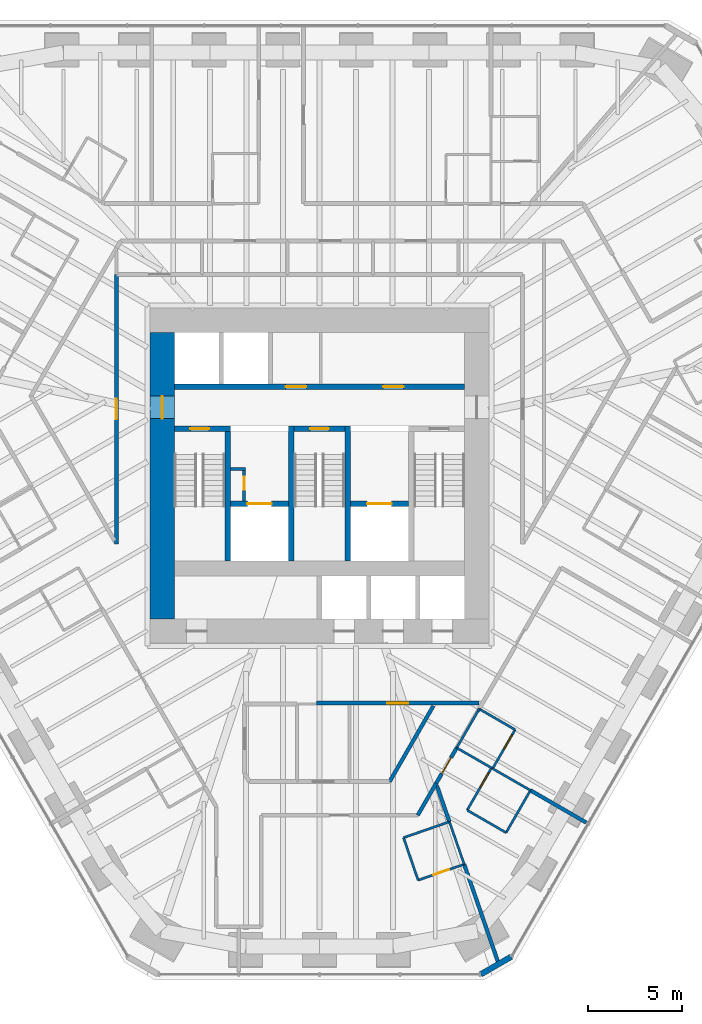
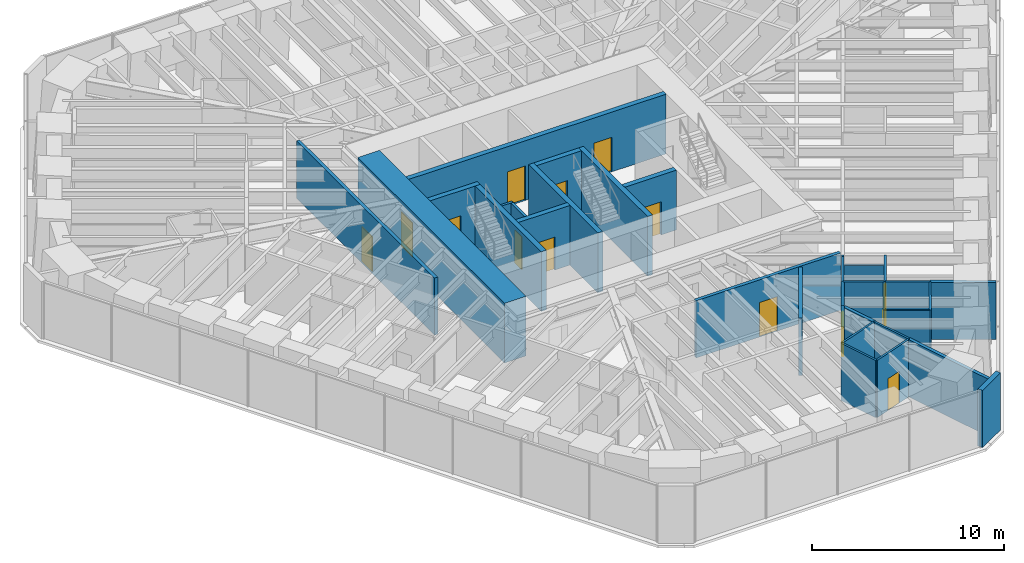
# One storey, part 12 of 17: 33 walls, 14 doors, 14 openings.
"""IFC4 building model written with IfcOpenShell, lengths in metres."""

import ifcopenshell
import ifcopenshell.guid

model = None  # the IFC model being written
_history = None  # IfcOwnerHistory: only IFC2X3 demands one
_inside = {}  # id of a spatial element -> (the spatial element, [elements in it])
_under = {}  # id of a project, library or spatial element -> (it, [spatial elements below it])
_declared = {}  # id of a project -> (the project, [libraries it declares])
_typed = {}  # id of a type object -> (the type object, [elements of that type])
_made_of = {}  # id of a material, layer set ... -> (it, [elements and type objects made of it])


def new_model(schema):
    """Start an empty IFC model of exactly this schema.

    Asked for "IFC4X3", IfcOpenShell would pick the latest addendum, in which some entities
    have other attributes; the version numbers below select the first issue.
    IFC2X3 requires an IfcOwnerHistory on every rooted entity: one is made here for all.
    """
    global model, _history
    if schema == "IFC4X3":
        model = ifcopenshell.file(schema_version=(4, 3, 0, 0))
    else:
        model = ifcopenshell.file(schema=schema)
    _inside.clear()
    _under.clear()
    _declared.clear()
    _typed.clear()
    _made_of.clear()
    _history = None
    if model.schema == "IFC2X3":
        org = make("IfcOrganization", Name="unknown")
        user = make(
            "IfcPersonAndOrganization",
            ThePerson=make("IfcPerson", FamilyName="unknown"),
            TheOrganization=org,
        )
        app = make(
            "IfcApplication",
            ApplicationDeveloper=org,
            Version="unknown",
            ApplicationFullName="unknown",
            ApplicationIdentifier="unknown",
        )
        _history = make(
            "IfcOwnerHistory",
            OwningUser=user,
            OwningApplication=app,
            ChangeAction="ADDED",
            CreationDate=0,
        )
    return model


def make(cls, **values):
    """One entity of the class cls with the attributes given. An attribute that is None is left unset."""
    return model.create_entity(
        cls, **{name: value for name, value in values.items() if value is not None}
    )


def rooted(cls, **values):
    """An entity with a GlobalId (a new one), such as an element, a storey or a relation."""
    return make(cls, GlobalId=ifcopenshell.guid.new(), OwnerHistory=_history, **values)


def si_unit(unit_type, name, prefix=None):
    """IfcSIUnit, for example si_unit("LENGTHUNIT", "METRE", prefix="MILLI")."""
    return make("IfcSIUnit", UnitType=unit_type, Prefix=prefix, Name=name)


def assignment(units):
    """IfcUnitAssignment: the units of a project."""
    return None if units is None else make("IfcUnitAssignment", Units=units)


def point(xyz):
    """IfcCartesianPoint."""
    return None if xyz is None else make("IfcCartesianPoint", Coordinates=xyz)


def direction(xyz):
    """IfcDirection."""
    return None if xyz is None else make("IfcDirection", DirectionRatios=xyz)


def frame(location, z_axis=None, x_axis=None):
    """IfcAxis2Placement3D, a coordinate frame: its origin and axes. An axis left out is left unset."""
    return make(
        "IfcAxis2Placement3D",
        Location=point(location),
        Axis=direction(z_axis),
        RefDirection=direction(x_axis),
    )


def frame_2d(location, x_axis=None):
    """IfcAxis2Placement2D, a coordinate frame in the plane: its origin and x axis."""
    return make(
        "IfcAxis2Placement2D", Location=point(location), RefDirection=direction(x_axis)
    )


def origin():
    """The frame at (0, 0, 0) with its axes left unset."""
    return frame((0.0, 0.0, 0.0))


def place(relative_to, where):
    """IfcLocalPlacement: puts the frame where relative to a parent placement (None: the world)."""
    return make(
        "IfcLocalPlacement", PlacementRelTo=relative_to, RelativePlacement=where
    )


def context(
    kind, dimensions, precision=None, world=None, true_north=None, identifier=None
):
    """IfcGeometricRepresentationContext, for example the 3D "Model" context."""
    return make(
        "IfcGeometricRepresentationContext",
        ContextIdentifier=identifier,
        ContextType=kind,
        CoordinateSpaceDimension=dimensions,
        Precision=precision,
        WorldCoordinateSystem=world,
        TrueNorth=true_north,
    )


def subcontext(parent, identifier, kind, view, scale=None):
    """IfcGeometricRepresentationSubContext, for example "Body" below "Model"."""
    return make(
        "IfcGeometricRepresentationSubContext",
        ContextIdentifier=identifier,
        ContextType=kind,
        ParentContext=parent,
        TargetScale=scale,
        TargetView=view,
    )


def project(units=None, contexts=None):
    """IfcProject with its units and contexts."""
    return rooted(
        "IfcProject",
        Name="project",
        RepresentationContexts=contexts,
        UnitsInContext=assignment(units),
    )


def spatial(cls, under=None, at=None, **own):
    """A site, building, storey or space (cls), placed at a placement, below another one or the project."""
    s = rooted(cls, ObjectPlacement=at, **own)
    if under is not None:
        _under.setdefault(under.id(), (under, []))[1].append(s)
    return s


def profile(cls, at=None, kind="AREA", **sizes):
    """A parametric profile (cls). Its sizes go by their IFC names, for example OverallWidth=200.0."""
    return make(cls, ProfileType=kind, Position=at, **sizes)


def rectangle(**sizes):
    """IfcRectangleProfileDef."""
    return profile("IfcRectangleProfileDef", **sizes)


def extrude(swept, where, along, depth):
    """IfcExtrudedAreaSolid: the profile swept, set in the frame where, extruded along a direction by depth."""
    return make(
        "IfcExtrudedAreaSolid",
        SweptArea=swept,
        Position=where,
        ExtrudedDirection=direction(along),
        Depth=depth,
    )


def shape(context_of_items, identifier, shape_type, items):
    """IfcShapeRepresentation: the items that make up one representation, for example the "Body"."""
    return make(
        "IfcShapeRepresentation",
        ContextOfItems=context_of_items,
        RepresentationIdentifier=identifier,
        RepresentationType=shape_type,
        Items=items,
    )


def material(Name=None, Category=None):
    """IfcMaterial."""
    return make("IfcMaterial", Name=Name, Category=Category)


def layer(
    of_material, thickness, ventilated=None, Name=None, Category=None, Priority=None
):
    """IfcMaterialLayer: one layer of a wall or slab, of a material (None: an air gap)."""
    return make(
        "IfcMaterialLayer",
        Material=of_material,
        LayerThickness=thickness,
        IsVentilated=ventilated,
        Name=Name,
        Category=Category,
        Priority=Priority,
    )


def layer_set(layers, Name=None):
    """IfcMaterialLayerSet."""
    return make("IfcMaterialLayerSet", MaterialLayers=layers, LayerSetName=Name)


def made_of(thing, what):
    """Note that an element or type object is made of a material, layer set ...; save() writes the relation."""
    if what is not None:
        _made_of.setdefault(what.id(), (what, []))[1].append(thing)
    return thing


def type_object(cls, material=None, **own):
    """A type object (cls), such as IfcWallType, which elements share."""
    return made_of(rooted(cls, **own), material)


def element(
    cls,
    number,
    at=None,
    inside=None,
    cuts=None,
    type_object=None,
    material=None,
    context=None,
    identifier="Body",
    shape_type=None,
    held_by="IfcProductDefinitionShape",
    body=None,
    shapes=None,
    **own,
):
    """One element of the class cls, such as IfcWall. Its Tag is "e" and its number.

    at: its placement. inside: the storey or other place that contains it. cuts: it is an
    opening in that element (IfcRelVoidsElement). A single representation is given by context,
    identifier, shape_type and body (its items); several are given by shapes. held_by: the class
    of the entity that holds the representations. save() writes the other relations.
    """
    e = rooted(cls, Tag="e%d" % number, ObjectPlacement=at, **own)
    if body is not None:
        shapes = [shape(context, identifier, shape_type, body)]
    if shapes is not None:
        e.Representation = make(held_by, Representations=shapes)
    if inside is not None:
        _inside.setdefault(inside.id(), (inside, []))[1].append(e)
    if cuts is not None:
        rooted(
            "IfcRelVoidsElement", RelatingBuildingElement=cuts, RelatedOpeningElement=e
        )
    if type_object is not None:
        _typed.setdefault(type_object.id(), (type_object, []))[1].append(e)
    return made_of(e, material)


def fill(opening, filler):
    """IfcRelFillsElement: the door or window that sits in an opening."""
    return rooted(
        "IfcRelFillsElement",
        RelatingOpeningElement=opening,
        RelatedBuildingElement=filler,
    )


def aggregate(whole, parts):
    """IfcRelAggregates: a whole, such as a stair, and the parts it consists of."""
    return rooted("IfcRelAggregates", RelatingObject=whole, RelatedObjects=parts)


def save(model, path):
    """Write the relations noted so far, then the file.

    IfcRelAggregates (storeys below a building ...), IfcRelContainedInSpatialStructure (elements
    in a storey), IfcRelDefinesByType, IfcRelAssociatesMaterial and IfcRelDeclares: one each for
    every whole, place, type object, material and project.
    """
    for whole, parts in _under.values():
        aggregate(whole, parts)
    for where, things in _inside.values():
        rooted(
            "IfcRelContainedInSpatialStructure",
            RelatedElements=things,
            RelatingStructure=where,
        )
    for kind, things in _typed.values():
        rooted("IfcRelDefinesByType", RelatedObjects=things, RelatingType=kind)
    for what, things in _made_of.values():
        rooted("IfcRelAssociatesMaterial", RelatedObjects=things, RelatingMaterial=what)
    for by, libraries in _declared.values():
        rooted("IfcRelDeclares", RelatingContext=by, RelatedDefinitions=libraries)
    model.write(path)


model = new_model("IFC4")

# Units and contexts
model_context = context("Model", 3, precision=1e-05, world=origin(), true_north=direction((0.0, 1.0)))
body_context = subcontext(model_context, "Body", "Model", "MODEL_VIEW")
ifc_project = project(units=[si_unit("LENGTHUNIT", "METRE"), si_unit("AREAUNIT", "SQUARE_METRE"), si_unit("VOLUMEUNIT", "CUBIC_METRE"), si_unit("PLANEANGLEUNIT", "RADIAN"), si_unit("MASSUNIT", "GRAM", prefix="KILO")], contexts=[model_context])

# Site, building, storey
site_placement = place(None, origin())
site = spatial("IfcSite", under=ifc_project, at=site_placement, CompositionType="ELEMENT")
building_placement = place(site_placement, origin())
building = spatial("IfcBuilding", under=site, at=building_placement, Name="Sandreach Pilgrim Tower", CompositionType="ELEMENT")
storey_placement = place(building_placement, frame((0.0, 0.0, 150.0)))
storey = spatial("IfcBuildingStorey", under=building, at=storey_placement, Name="L37", CompositionType="ELEMENT", Elevation=150.0)

# Wall
ifc_material_1 = material(Name="Moisture-resistant gypsum board on steel studs", Category="steel")
ifc_layer_1 = layer(ifc_material_1, 0.1201171875)
ifc_layer_set_1 = layer_set([ifc_layer_1], Name="Bathroom partition 120")
wall_type_1 = type_object("IfcWallType", Name="Bathroom partition 120", PredefinedType="PARTITIONING", material=ifc_layer_set_1)
wall_1_placement = place(storey_placement, frame((4.489990234375, -20.889892578125, 0.0), z_axis=(0.0, 0.0, 1.0), x_axis=(0.324971746724, -0.945723724896, 0.0)))
element("IfcWall", 1, at=wall_1_placement, inside=storey, type_object=wall_type_1, Name="Bathroom partition L37-082", PredefinedType="PARTITIONING", context=body_context, shape_type="SweptSolid", body=[
    extrude(rectangle(XDim=2.400390625, YDim=0.1201171875, at=frame_2d((1.2001953125, 0.0))), origin(), (0.0, 0.0, 1.0), 3.639892578125),
])

# Wall, opening, door
wall_2_placement = place(storey_placement, frame((5.27001953125, -23.159912109375, 0.0), z_axis=(0.0, 0.0, 1.0), x_axis=(0.945184415197, 0.326537013627, 0.0)))
wall_2 = element("IfcWall", 2, at=wall_2_placement, inside=storey, type_object=wall_type_1, Name="Bathroom partition L37-084", PredefinedType="PARTITIONING", context=body_context, shape_type="SweptSolid", body=[
    extrude(rectangle(XDim=2.6025390625, YDim=0.1201171875, at=frame_2d((1.30126953125, 0.0))), origin(), (0.0, 0.0, 1.0), 3.639892578125),
])
opening_1_placement = place(wall_2_placement, frame((0.85009765625, 0.0, 0.0)))
opening_1 = element("IfcOpeningElement", 3, at=opening_1_placement, cuts=wall_2, Name="Opening D09-10B", PredefinedType="OPENING", context=body_context, shape_type="SweptSolid", body=[
    extrude(rectangle(XDim=0.89990234375, YDim=2.030029296875, at=frame_2d((0.449951171875, 1.01513671875))), frame((0.0, 0.06005859375, 0.0), z_axis=(0.0, -1.0, 0.0), x_axis=(1.0, 0.0, 0.0)), (0.0, 0.0, 1.0), 0.1201171875),
])
ifc_material_2 = material(Name="Timber door, steel frame", Category="steel")
door_type_1 = type_object("IfcDoorType", Name="Bathroom door", OperationType="SINGLE_SWING_LEFT", PredefinedType="DOOR", material=ifc_material_2)
door_1_placement = place(opening_1_placement, origin())
door_1 = element("IfcDoor", 4, at=door_1_placement, inside=storey, type_object=door_type_1, Name="Door 3710B", OperationType="SINGLE_SWING_LEFT", OverallHeight=2.030029296875, OverallWidth=0.89990234375, PredefinedType="DOOR", context=body_context, shape_type="SweptSolid", body=[
    extrude(rectangle(XDim=0.89990234375, YDim=2.030029296875, at=frame_2d((0.449951171875, 1.01513671875))), frame((0.0, 0.02490234375, 0.0), z_axis=(0.0, -1.0, 0.0), x_axis=(1.0, 0.0, 0.0)), (0.0, 0.0, 1.0), 0.050048828125),
])
fill(opening_1, door_1)

# Walls
wall_3_placement = place(storey_placement, frame((6.93994140625, -20.0400390625, 0.0), z_axis=(0.0, 0.0, 1.0), x_axis=(-0.944772080486, -0.327728112822, 0.0)))
element("IfcWall", 5, at=wall_3_placement, inside=storey, type_object=wall_type_1, Name="Bathroom partition L37-090", PredefinedType="PARTITIONING", context=body_context, shape_type="SweptSolid", body=[
    extrude(rectangle(XDim=2.59326171875, YDim=0.1201171875, at=frame_2d((1.296630859375, 0.0))), origin(), (0.0, 0.0, 1.0), 3.639892578125),
])
wall_4_placement = place(storey_placement, frame((6.93994140625, -20.0400390625, 0.0), z_axis=(0.0, 0.0, 1.0), x_axis=(0.328693963496, -0.944436487203, 0.0)))
element("IfcWall", 6, at=wall_4_placement, inside=storey, type_object=wall_type_1, Name="Bathroom partition L37-091", PredefinedType="PARTITIONING", context=body_context, shape_type="SweptSolid", body=[
    extrude(rectangle(XDim=2.403564453125, YDim=0.1201171875, at=frame_2d((1.20166015625, 0.0))), origin(), (0.0, 0.0, 1.0), 3.639892578125),
])
wall_5_placement = place(storey_placement, frame((7.330078125, -16.090087890625, 0.0), z_axis=(0.0, 0.0, 1.0), x_axis=(0.500786797394, 0.865570669302, 0.0)))
element("IfcWall", 7, at=wall_5_placement, inside=storey, type_object=wall_type_1, Name="Bathroom partition L37-092", PredefinedType="PARTITIONING", context=body_context, shape_type="SweptSolid", body=[
    extrude(rectangle(XDim=2.276123046875, YDim=0.1201171875, at=frame_2d((1.13818359375, 0.0))), origin(), (0.0, 0.0, 1.0), 3.639892578125),
])
wall_6_placement = place(storey_placement, frame((7.330078125, -16.090087890625, 0.0), z_axis=(0.0, 0.0, 1.0), x_axis=(0.866825160608, -0.498612214989, 0.0)))
element("IfcWall", 8, at=wall_6_placement, inside=storey, type_object=wall_type_1, Name="Bathroom partition L37-093", PredefinedType="PARTITIONING", context=body_context, shape_type="SweptSolid", body=[
    extrude(rectangle(XDim=2.1455078125, YDim=0.1201171875, at=frame_2d((1.07275390625, 0.0))), origin(), (0.0, 0.0, 1.0), 3.639892578125),
])
wall_7_placement = place(storey_placement, frame((7.889892578125, -19.419921875, 0.0), z_axis=(0.0, 0.0, 1.0), x_axis=(0.866202511239, -0.499693115345, 0.0)))
element("IfcWall", 9, at=wall_7_placement, inside=storey, type_object=wall_type_1, Name="Bathroom partition L37-098", PredefinedType="PARTITIONING", context=body_context, shape_type="SweptSolid", body=[
    extrude(rectangle(XDim=2.4013671875, YDim=0.1201171875, at=frame_2d((1.20068359375, 0.0))), origin(), (0.0, 0.0, 1.0), 3.639892578125),
])
wall_8_placement = place(storey_placement, frame((8.469970703125, -14.1201171875, 0.0), z_axis=(0.0, 0.0, 1.0), x_axis=(0.478852130681, 0.877895572914, 0.0)))
element("IfcWall", 10, at=wall_8_placement, inside=storey, type_object=wall_type_1, Name="Bathroom partition L37-099", PredefinedType="PARTITIONING", context=body_context, shape_type="SweptSolid", body=[
    extrude(rectangle(XDim=0.12548828125, YDim=0.1201171875, at=frame_2d((0.062744140625, 0.0))), origin(), (0.0, 0.0, 1.0), 3.639892578125),
])

# Wall, opening, door
wall_9_placement = place(storey_placement, frame((9.18994140625, -17.159912109375, 0.0), z_axis=(0.0, 0.0, 1.0), x_axis=(-0.498627694264, -0.866816256489, 0.0)))
wall_9 = element("IfcWall", 11, at=wall_9_placement, inside=storey, type_object=wall_type_1, Name="Bathroom partition L37-109", PredefinedType="PARTITIONING", context=body_context, shape_type="SweptSolid", body=[
    extrude(rectangle(XDim=2.607177734375, YDim=0.1201171875, at=frame_2d((1.3037109375, 0.0))), origin(), (0.0, 0.0, 1.0), 3.639892578125),
])
opening_2_placement = place(wall_9_placement, frame((0.300048828125, 0.0, 0.0)))
opening_2 = element("IfcOpeningElement", 12, at=opening_2_placement, cuts=wall_9, Name="Opening D09-09B", PredefinedType="OPENING", context=body_context, shape_type="SweptSolid", body=[
    extrude(rectangle(XDim=0.89990234375, YDim=2.030029296875, at=frame_2d((0.449951171875, 1.01513671875))), frame((0.0, 0.06005859375, 0.0), z_axis=(0.0, -1.0, 0.0), x_axis=(1.0, 0.0, 0.0)), (0.0, 0.0, 1.0), 0.1201171875),
])
door_2_placement = place(opening_2_placement, origin())
door_2 = element("IfcDoor", 13, at=door_2_placement, inside=storey, type_object=door_type_1, Name="Door 3709B", OperationType="SINGLE_SWING_LEFT", OverallHeight=2.030029296875, OverallWidth=0.89990234375, PredefinedType="DOOR", context=body_context, shape_type="SweptSolid", body=[
    extrude(rectangle(XDim=0.89990234375, YDim=2.030029296875, at=frame_2d((0.449951171875, 1.01513671875))), frame((0.0, 0.02490234375, 0.0), z_axis=(0.0, -1.0, 0.0), x_axis=(1.0, 0.0, 0.0)), (0.0, 0.0, 1.0), 0.050048828125),
])
fill(opening_2, door_2)

wall_10_placement = place(storey_placement, frame((9.25, -17.199951171875, 0.0), z_axis=(0.0, 0.0, 1.0), x_axis=(0.499737123639, 0.866177122335, 0.0)))
wall_10 = element("IfcWall", 14, at=wall_10_placement, inside=storey, type_object=wall_type_1, Name="Bathroom partition L37-110", PredefinedType="PARTITIONING", context=body_context, shape_type="SweptSolid", body=[
    extrude(rectangle(XDim=2.401123046875, YDim=0.1201171875, at=frame_2d((1.20068359375, 0.0))), origin(), (0.0, 0.0, 1.0), 3.639892578125),
])
opening_3_placement = place(wall_10_placement, frame((1.201416015625, 0.0, 0.0)))
opening_3 = element("IfcOpeningElement", 15, at=opening_3_placement, cuts=wall_10, Name="Opening D09-08B", PredefinedType="OPENING", context=body_context, shape_type="SweptSolid", body=[
    extrude(rectangle(XDim=0.89990234375, YDim=2.030029296875, at=frame_2d((0.449951171875, 1.01513671875))), frame((0.0, 0.06005859375, 0.0), z_axis=(0.0, -1.0, 0.0), x_axis=(1.0, 0.0, 0.0)), (0.0, 0.0, 1.0), 0.1201171875),
])
door_3_placement = place(opening_3_placement, origin())
door_3 = element("IfcDoor", 16, at=door_3_placement, inside=storey, type_object=door_type_1, Name="Door 3708B", OperationType="SINGLE_SWING_RIGHT", OverallHeight=2.030029296875, OverallWidth=0.89990234375, PredefinedType="DOOR", context=body_context, shape_type="SweptSolid", body=[
    extrude(rectangle(XDim=0.89990234375, YDim=2.030029296875, at=frame_2d((0.449951171875, 1.01513671875))), frame((0.0, 0.02490234375, 0.0), z_axis=(0.0, -1.0, 0.0), x_axis=(1.0, 0.0, 0.0)), (0.0, 0.0, 1.0), 0.050048828125),
])
fill(opening_3, door_3)

# Walls
wall_11_placement = place(storey_placement, frame((9.25, -17.199951171875, 0.0), z_axis=(0.0, 0.0, 1.0), x_axis=(0.867157547908, -0.498033921641, 0.0)))
element("IfcWall", 17, at=wall_11_placement, inside=storey, type_object=wall_type_1, Name="Bathroom partition L37-111", PredefinedType="PARTITIONING", context=body_context, shape_type="SweptSolid", body=[
    extrude(rectangle(XDim=2.32958984375, YDim=0.1201171875, at=frame_2d((1.164794921875, 0.0))), origin(), (0.0, 0.0, 1.0), 3.639892578125),
])
wall_12_placement = place(storey_placement, frame((9.969970703125, -20.6201171875, 0.0), z_axis=(0.0, 0.0, 1.0), x_axis=(0.498627694264, 0.866816256489, 0.0)))
element("IfcWall", 18, at=wall_12_placement, inside=storey, type_object=wall_type_1, Name="Bathroom partition L37-112", PredefinedType="PARTITIONING", context=body_context, shape_type="SweptSolid", body=[
    extrude(rectangle(XDim=2.607177734375, YDim=0.1201171875, at=frame_2d((1.3037109375, 0.0))), origin(), (0.0, 0.0, 1.0), 3.639892578125),
])
wall_13_placement = place(storey_placement, frame((10.449951171875, -15.1201171875, 0.0), z_axis=(0.0, 0.0, 1.0), x_axis=(-0.865705017107, 0.500554515868, 0.0)))
element("IfcWall", 19, at=wall_13_placement, inside=storey, type_object=wall_type_1, Name="Bathroom partition L37-113", PredefinedType="PARTITIONING", context=body_context, shape_type="SweptSolid", body=[
    extrude(rectangle(XDim=2.2177734375, YDim=0.1201171875, at=frame_2d((1.10888671875, 0.0))), origin(), (0.0, 0.0, 1.0), 3.022705078125),
])
ifc_material_3 = material(Name="Concrete 10000 psi", Category="concrete")
ifc_layer_2 = layer(ifc_material_3, 0.300048828125)
ifc_layer_set_2 = layer_set([ifc_layer_2], Name="Core inner wall 300")
wall_type_2 = type_object("IfcWallType", Name="Core inner wall 300", PredefinedType="SHEAR", material=ifc_layer_set_2)
for number, where, z_axis, x_axis, name in (
    (20, (-4.89990234375, -6.10009765625, 0.0), (0.0, 0.0, 1.0), (0.0, 1.0, 0.0), "Core wall I0 L37"),
    (21, (-1.5, -6.10009765625, 0.0), (0.0, 0.0, 1.0), (0.0, 1.0, 0.0), "Core wall I1 L37"),
    (22, (1.5, -6.10009765625, 0.0), (0.0, 0.0, 1.0), (0.0, 1.0, 0.0), "Core wall I2 L37"),
):
    element("IfcWall", number, at=place(storey_placement, frame(where, z_axis=z_axis, x_axis=x_axis)), inside=storey, type_object=wall_type_2, Name=name, PredefinedType="SHEAR", context=body_context, shape_type="SweptSolid", body=[
        extrude(rectangle(XDim=7.2001953125, YDim=0.300048828125, at=frame_2d((3.60009765625, 0.0))), origin(), (0.0, 0.0, 1.0), 3.800048828125),
    ])

# Wall, opening, door
wall_14_placement = place(storey_placement, frame((-7.75, 0.949951171875, 0.0), z_axis=(0.0, 0.0, 1.0), x_axis=(1.0, 0.0, 0.0)))
wall_14 = element("IfcWall", 23, at=wall_14_placement, inside=storey, type_object=wall_type_2, Name="Core wall SN1 L37", PredefinedType="SHEAR", context=body_context, shape_type="SweptSolid", body=[
    extrude(rectangle(XDim=3.0, YDim=0.300048828125, at=frame_2d((1.5, 0.0))), origin(), (0.0, 0.0, 1.0), 3.800048828125),
])
opening_4_placement = place(wall_14_placement, frame((0.85009765625, 0.0, 0.0)))
opening_4 = element("IfcOpeningElement", 24, at=opening_4_placement, cuts=wall_14, Name="Opening D10S-ST1", PredefinedType="OPENING", context=body_context, shape_type="SweptSolid", body=[
    extrude(rectangle(XDim=1.0, YDim=2.199951171875, at=frame_2d((0.5, 1.10009765625))), frame((0.0, 0.14990234375, 0.0), z_axis=(0.0, -1.0, 0.0), x_axis=(1.0, 0.0, 0.0)), (0.0, 0.0, 1.0), 0.300048828125),
])
ifc_material_4 = material(Name="Steel door and frame", Category="steel")
door_type_2 = type_object("IfcDoorType", Name="Stair door", OperationType="SINGLE_SWING_LEFT", PredefinedType="DOOR", material=ifc_material_4)
door_4_placement = place(opening_4_placement, origin())
door_4 = element("IfcDoor", 25, at=door_4_placement, inside=storey, type_object=door_type_2, Name="Stair door ST1 L37", OperationType="SINGLE_SWING_LEFT", OverallHeight=2.199951171875, OverallWidth=1.0, PredefinedType="DOOR", context=body_context, shape_type="SweptSolid", body=[
    extrude(rectangle(XDim=1.0, YDim=2.199951171875, at=frame_2d((0.5, 1.10009765625))), frame((0.0, 0.02490234375, 0.0), z_axis=(0.0, -1.0, 0.0), x_axis=(1.0, 0.0, 0.0)), (0.0, 0.0, 1.0), 0.050048828125),
])
fill(opening_4, door_4)

wall_15_placement = place(storey_placement, frame((-1.35009765625, 0.949951171875, 0.0), z_axis=(0.0, 0.0, 1.0), x_axis=(1.0, 0.0, 0.0)))
wall_15 = element("IfcWall", 26, at=wall_15_placement, inside=storey, type_object=wall_type_2, Name="Core wall SN3 L37", PredefinedType="SHEAR", context=body_context, shape_type="SweptSolid", body=[
    extrude(rectangle(XDim=2.7001953125, YDim=0.300048828125, at=frame_2d((1.35009765625, 0.0))), origin(), (0.0, 0.0, 1.0), 3.800048828125),
])
opening_5_placement = place(wall_15_placement, frame((0.85009765625, 0.0, 0.0)))
opening_5 = element("IfcOpeningElement", 27, at=opening_5_placement, cuts=wall_15, Name="Opening D10S-ST3", PredefinedType="OPENING", context=body_context, shape_type="SweptSolid", body=[
    extrude(rectangle(XDim=1.0, YDim=2.199951171875, at=frame_2d((0.5, 1.10009765625))), frame((0.0, 0.14990234375, 0.0), z_axis=(0.0, -1.0, 0.0), x_axis=(1.0, 0.0, 0.0)), (0.0, 0.0, 1.0), 0.300048828125),
])
door_5_placement = place(opening_5_placement, origin())
door_5 = element("IfcDoor", 28, at=door_5_placement, inside=storey, type_object=door_type_2, Name="Stair door ST3 L37", OperationType="SINGLE_SWING_LEFT", OverallHeight=2.199951171875, OverallWidth=1.0, PredefinedType="DOOR", context=body_context, shape_type="SweptSolid", body=[
    extrude(rectangle(XDim=1.0, YDim=2.199951171875, at=frame_2d((0.5, 1.10009765625))), frame((0.0, 0.02490234375, 0.0), z_axis=(0.0, -1.0, 0.0), x_axis=(1.0, 0.0, 0.0)), (0.0, 0.0, 1.0), 0.050048828125),
])
fill(opening_5, door_5)

wall_16_placement = place(storey_placement, frame((-4.75, -3.050048828125, 0.0), z_axis=(0.0, 0.0, 1.0), x_axis=(1.0, 0.0, 0.0)))
wall_16 = element("IfcWall", 29, at=wall_16_placement, inside=storey, type_object=wall_type_2, Name="Core wall FL1 L37", PredefinedType="SHEAR", context=body_context, shape_type="SweptSolid", body=[
    extrude(rectangle(XDim=3.10009765625, YDim=0.300048828125, at=frame_2d((1.550048828125, 0.0))), origin(), (0.0, 0.0, 1.0), 3.800048828125),
])
opening_6_placement = place(wall_16_placement, frame((0.89990234375, 0.0, 0.0)))
opening_6 = element("IfcOpeningElement", 30, at=opening_6_placement, cuts=wall_16, Name="Opening LD13", PredefinedType="OPENING", context=body_context, shape_type="SweptSolid", body=[
    extrude(rectangle(XDim=1.300048828125, YDim=2.10009765625, at=frame_2d((0.64990234375, 1.050048828125))), frame((0.0, 0.14990234375, 0.0), z_axis=(0.0, -1.0, 0.0), x_axis=(1.0, 0.0, 0.0)), (0.0, 0.0, 1.0), 0.300048828125),
])
ifc_material_5 = material(Name="Steel door and frame", Category="steel")
door_type_3 = type_object("IfcDoorType", Name="Fire service lift landing door", OperationType="DOUBLE_DOOR_SLIDING", PredefinedType="DOOR", material=ifc_material_5)
door_6_placement = place(opening_6_placement, origin())
door_6 = element("IfcDoor", 31, at=door_6_placement, inside=storey, type_object=door_type_3, Name="Lift landing door FS1 L37", OperationType="DOUBLE_DOOR_SLIDING", OverallHeight=2.10009765625, OverallWidth=1.300048828125, PredefinedType="DOOR", context=body_context, shape_type="SweptSolid", body=[
    extrude(rectangle(XDim=1.300048828125, YDim=2.10009765625, at=frame_2d((0.64990234375, 1.050048828125))), frame((0.0, 0.02490234375, 0.0), z_axis=(0.0, -1.0, 0.0), x_axis=(1.0, 0.0, 0.0)), (0.0, 0.0, 1.0), 0.050048828125),
])
fill(opening_6, door_6)

wall_17_placement = place(storey_placement, frame((1.64990234375, -3.050048828125, 0.0), z_axis=(0.0, 0.0, 1.0), x_axis=(1.0, 0.0, 0.0)))
wall_17 = element("IfcWall", 32, at=wall_17_placement, inside=storey, type_object=wall_type_2, Name="Core wall FL2 L37", PredefinedType="SHEAR", context=body_context, shape_type="SweptSolid", body=[
    extrude(rectangle(XDim=3.10009765625, YDim=0.300048828125, at=frame_2d((1.550048828125, 0.0))), origin(), (0.0, 0.0, 1.0), 3.800048828125),
])
opening_7_placement = place(wall_17_placement, frame((0.89990234375, 0.0, 0.0)))
opening_7 = element("IfcOpeningElement", 33, at=opening_7_placement, cuts=wall_17, Name="Opening LD13", PredefinedType="OPENING", context=body_context, shape_type="SweptSolid", body=[
    extrude(rectangle(XDim=1.300048828125, YDim=2.10009765625, at=frame_2d((0.64990234375, 1.050048828125))), frame((0.0, 0.14990234375, 0.0), z_axis=(0.0, -1.0, 0.0), x_axis=(1.0, 0.0, 0.0)), (0.0, 0.0, 1.0), 0.300048828125),
])
door_7_placement = place(opening_7_placement, origin())
door_7 = element("IfcDoor", 34, at=door_7_placement, inside=storey, type_object=door_type_3, Name="Lift landing door FS2 L37", OperationType="DOUBLE_DOOR_SLIDING", OverallHeight=2.10009765625, OverallWidth=1.300048828125, PredefinedType="DOOR", context=body_context, shape_type="SweptSolid", body=[
    extrude(rectangle(XDim=1.300048828125, YDim=2.10009765625, at=frame_2d((0.64990234375, 1.050048828125))), frame((0.0, 0.02490234375, 0.0), z_axis=(0.0, -1.0, 0.0), x_axis=(1.0, 0.0, 0.0)), (0.0, 0.0, 1.0), 0.050048828125),
])
fill(opening_7, door_7)

# Wall, openings, doors
wall_18_placement = place(storey_placement, frame((-7.75, 3.199951171875, 0.0), z_axis=(0.0, 0.0, 1.0), x_axis=(1.0, 0.0, 0.0)))
wall_18 = element("IfcWall", 35, at=wall_18_placement, inside=storey, type_object=wall_type_2, Name="Core wall PN L37", PredefinedType="SHEAR", context=body_context, shape_type="SweptSolid", body=[
    extrude(rectangle(XDim=15.5, YDim=0.300048828125, at=frame_2d((7.75, 0.0))), origin(), (0.0, 0.0, 1.0), 3.800048828125),
])
opening_8_placement = place(wall_18_placement, frame((5.94384765625, 0.0, 0.0)))
opening_8 = element("IfcOpeningElement", 36, at=opening_8_placement, cuts=wall_18, Name="Opening D11L", PredefinedType="OPENING", context=body_context, shape_type="SweptSolid", body=[
    extrude(rectangle(XDim=1.10009765625, YDim=2.199951171875, at=frame_2d((0.550048828125, 1.10009765625))), frame((0.0, 0.14990234375, 0.0), z_axis=(0.0, -1.0, 0.0), x_axis=(1.0, 0.0, 0.0)), (0.0, 0.0, 1.0), 0.300048828125),
])
opening_9_placement = place(wall_18_placement, frame((11.143798828125, 0.0, 0.0)))
opening_9 = element("IfcOpeningElement", 37, at=opening_9_placement, cuts=wall_18, Name="Opening D11L", PredefinedType="OPENING", context=body_context, shape_type="SweptSolid", body=[
    extrude(rectangle(XDim=1.10009765625, YDim=2.199951171875, at=frame_2d((0.550048828125, 1.10009765625))), frame((0.0, 0.14990234375, 0.0), z_axis=(0.0, -1.0, 0.0), x_axis=(1.0, 0.0, 0.0)), (0.0, 0.0, 1.0), 0.300048828125),
])
ifc_material_6 = material(Name="Steel door and frame, smoke seals", Category="steel")
door_type_4 = type_object("IfcDoorType", Name="Core room door", OperationType="SINGLE_SWING_LEFT", PredefinedType="DOOR", material=ifc_material_6)
door_8_placement = place(opening_8_placement, origin())
door_8 = element("IfcDoor", 38, at=door_8_placement, inside=storey, type_object=door_type_4, Name="Door linen and housekeeping store 37K1", OperationType="SINGLE_SWING_LEFT", OverallHeight=2.199951171875, OverallWidth=1.10009765625, PredefinedType="DOOR", context=body_context, shape_type="SweptSolid", body=[
    extrude(rectangle(XDim=1.10009765625, YDim=2.199951171875, at=frame_2d((0.550048828125, 1.10009765625))), frame((0.0, 0.02490234375, 0.0), z_axis=(0.0, -1.0, 0.0), x_axis=(1.0, 0.0, 0.0)), (0.0, 0.0, 1.0), 0.050048828125),
])
fill(opening_8, door_8)
door_9_placement = place(opening_9_placement, origin())
door_9 = element("IfcDoor", 39, at=door_9_placement, inside=storey, type_object=door_type_4, Name="Door cleaners store 37K2", OperationType="SINGLE_SWING_RIGHT", OverallHeight=2.199951171875, OverallWidth=1.10009765625, PredefinedType="DOOR", context=body_context, shape_type="SweptSolid", body=[
    extrude(rectangle(XDim=1.10009765625, YDim=2.199951171875, at=frame_2d((0.550048828125, 1.10009765625))), frame((0.0, 0.02490234375, 0.0), z_axis=(0.0, -1.0, 0.0), x_axis=(1.0, 0.0, 0.0)), (0.0, 0.0, 1.0), 0.050048828125),
])
fill(opening_9, door_9)

# Wall, opening, door
ifc_material_7 = material(Name="Concrete 10000 psi", Category="concrete")
ifc_layer_3 = layer(ifc_material_7, 1.300048828125)
ifc_layer_set_3 = layer_set([ifc_layer_3], Name="Core wall 1300")
wall_type_3 = type_object("IfcWallType", Name="Core wall 1300", PredefinedType="SHEAR", material=ifc_layer_set_3)
wall_19_placement = place(storey_placement, frame((-8.39990234375, -9.199951171875, 0.0), z_axis=(0.0, 0.0, 1.0), x_axis=(0.0, 1.0, 0.0)))
wall_19 = element("IfcWall", 40, at=wall_19_placement, inside=storey, type_object=wall_type_3, Name="Core wall W L37", PredefinedType="SHEAR", context=body_context, shape_type="SweptSolid", body=[
    extrude(rectangle(XDim=15.300048828125, YDim=1.300048828125, at=frame_2d((7.64990234375, 0.0))), origin(), (0.0, 0.0, 1.0), 3.800048828125),
])
opening_10_placement = place(wall_19_placement, frame((10.699951171875, 0.0, 0.0)))
opening_10 = element("IfcOpeningElement", 41, at=opening_10_placement, cuts=wall_19, Name="Opening D12F-W", PredefinedType="OPENING", context=body_context, shape_type="SweptSolid", body=[
    extrude(rectangle(XDim=1.199951171875, YDim=2.199951171875, at=frame_2d((0.60009765625, 1.10009765625))), frame((0.0, 0.64990234375, 0.0), z_axis=(0.0, -1.0, 0.0), x_axis=(1.0, 0.0, 0.0)), (0.0, 0.0, 1.0), 1.300048828125),
])
ifc_material_8 = material(Name="Steel door and frame", Category="steel")
door_type_5 = type_object("IfcDoorType", Name="Fire lobby door", OperationType="SINGLE_SWING_LEFT", PredefinedType="DOOR", material=ifc_material_8)
door_10_placement = place(opening_10_placement, origin())
door_10 = element("IfcDoor", 42, at=door_10_placement, inside=storey, type_object=door_type_5, Name="Fire service lobby door W L37", OperationType="SINGLE_SWING_RIGHT", OverallHeight=2.199951171875, OverallWidth=1.199951171875, PredefinedType="DOOR", context=body_context, shape_type="SweptSolid", body=[
    extrude(rectangle(XDim=1.199951171875, YDim=2.199951171875, at=frame_2d((0.60009765625, 1.10009765625))), frame((0.0, 0.02490234375, 0.0), z_axis=(0.0, -1.0, 0.0), x_axis=(1.0, 0.0, 0.0)), (0.0, 0.0, 1.0), 0.050048828125),
])
fill(opening_10, door_10)

ifc_material_9 = material(Name="Gypsum board on steel studs, two layers each side", Category="steel")
ifc_layer_4 = layer(ifc_material_9, 0.199951171875)
ifc_layer_set_4 = layer_set([ifc_layer_4], Name="Corridor wall 200")
wall_type_4 = type_object("IfcWallType", Name="Corridor wall 200", PredefinedType="PARTITIONING", material=ifc_layer_set_4)
wall_20_placement = place(storey_placement, frame((-10.85009765625, 9.199951171875, 0.0), z_axis=(0.0, 0.0, 1.0), x_axis=(0.0, -1.0, 0.0)))
wall_20 = element("IfcWall", 43, at=wall_20_placement, inside=storey, type_object=wall_type_4, Name="Corridor wall L37-039", PredefinedType="PARTITIONING", context=body_context, shape_type="SweptSolid", body=[
    extrude(rectangle(XDim=14.389892578125, YDim=0.199951171875, at=frame_2d((7.19482421875, 0.0))), origin(), (0.0, 0.0, 1.0), 3.639892578125),
])
opening_11_placement = place(wall_20_placement, frame((6.64501953125, 0.0, 0.0)))
opening_11 = element("IfcOpeningElement", 44, at=opening_11_placement, cuts=wall_20, Name="Opening D11H-M01", PredefinedType="OPENING", context=body_context, shape_type="SweptSolid", body=[
    extrude(rectangle(XDim=1.10009765625, YDim=2.199951171875, at=frame_2d((0.550048828125, 1.10009765625))), frame((0.0, 0.10009765625, 0.0), z_axis=(0.0, -1.0, 0.0), x_axis=(1.0, 0.0, 0.0)), (0.0, 0.0, 1.0), 0.199951171875),
])
ifc_material_10 = material(Name="Steel door and frame", Category="steel")
door_type_6 = type_object("IfcDoorType", Name="Back of house door", OperationType="SINGLE_SWING_LEFT", PredefinedType="DOOR", material=ifc_material_10)
door_11_placement = place(opening_11_placement, origin())
door_11 = element("IfcDoor", 45, at=door_11_placement, inside=storey, type_object=door_type_6, Name="Door 37M01", OperationType="SINGLE_SWING_LEFT", OverallHeight=2.199951171875, OverallWidth=1.10009765625, PredefinedType="DOOR", context=body_context, shape_type="SweptSolid", body=[
    extrude(rectangle(XDim=1.10009765625, YDim=2.199951171875, at=frame_2d((0.550048828125, 1.10009765625))), frame((0.0, 0.02490234375, 0.0), z_axis=(0.0, -1.0, 0.0), x_axis=(1.0, 0.0, 0.0)), (0.0, 0.0, 1.0), 0.050048828125),
])
fill(opening_11, door_11)

# Walls
wall_21_placement = place(storey_placement, frame((5.25, -19.68994140625, 0.0), z_axis=(0.0, 0.0, 1.0), x_axis=(0.499431599995, 0.866353321068, 0.0)))
element("IfcWall", 46, at=wall_21_placement, inside=storey, type_object=wall_type_4, Name="Corridor wall L37-083", PredefinedType="PARTITIONING", context=body_context, shape_type="SweptSolid", body=[
    extrude(rectangle(XDim=1.962158203125, YDim=0.199951171875, at=frame_2d((0.98095703125, 0.0))), origin(), (0.0, 0.0, 1.0), 3.639892578125),
])
wall_22_placement = place(storey_placement, frame((6.08251953125, -13.849609375, 0.0), z_axis=(0.0, 0.0, 1.0), x_axis=(-0.499977643516, -0.866038310922, 0.0)))
element("IfcWall", 47, at=wall_22_placement, inside=storey, type_object=wall_type_4, Name="Corridor wall L37-085", PredefinedType="PARTITIONING", context=body_context, shape_type="SweptSolid", body=[
    extrude(rectangle(XDim=4.665283203125, YDim=0.199951171875, at=frame_2d((2.33251953125, 0.0))), origin(), (0.0, 0.0, 1.0), 3.639892578125),
])

# Wall, opening, door
wall_23_placement = place(storey_placement, frame((6.22998046875, -17.989990234375, 0.0), z_axis=(0.0, 0.0, 1.0), x_axis=(0.501088872721, 0.865395829453, 0.0)))
wall_23 = element("IfcWall", 48, at=wall_23_placement, inside=storey, type_object=wall_type_4, Name="Corridor wall L37-086", PredefinedType="PARTITIONING", context=body_context, shape_type="SweptSolid", body=[
    extrude(rectangle(XDim=2.1953125, YDim=0.199951171875, at=frame_2d((1.09765625, 0.0))), origin(), (0.0, 0.0, 1.0), 3.639892578125),
])
opening_12_placement = place(wall_23_placement, frame((0.59765625, 0.0, 0.0)))
opening_12 = element("IfcOpeningElement", 49, at=opening_12_placement, cuts=wall_23, Name="Opening D10-09", PredefinedType="OPENING", context=body_context, shape_type="SweptSolid", body=[
    extrude(rectangle(XDim=1.0, YDim=2.1298828125, at=frame_2d((0.5, 1.06494140625))), frame((0.0, 0.10009765625, 0.0), z_axis=(0.0, -1.0, 0.0), x_axis=(1.0, 0.0, 0.0)), (0.0, 0.0, 1.0), 0.199951171875),
])
ifc_material_11 = material(Name="Steel door and frame", Category="steel")
door_type_7 = type_object("IfcDoorType", Name="Guest room entry door", OperationType="SINGLE_SWING_LEFT", PredefinedType="DOOR", material=ifc_material_11)
door_12_placement = place(opening_12_placement, origin())
door_12 = element("IfcDoor", 50, at=door_12_placement, inside=storey, type_object=door_type_7, Name="Door 3709", OperationType="SINGLE_SWING_LEFT", OverallHeight=2.1298828125, OverallWidth=1.0, PredefinedType="DOOR", context=body_context, shape_type="SweptSolid", body=[
    extrude(rectangle(XDim=1.0, YDim=2.1298828125, at=frame_2d((0.5, 1.06494140625))), frame((0.0, 0.02490234375, 0.0), z_axis=(0.0, -1.0, 0.0), x_axis=(1.0, 0.0, 0.0)), (0.0, 0.0, 1.0), 0.050048828125),
])
fill(opening_12, door_12)

wall_24_placement = place(storey_placement, frame((8.53369140625, -13.699951171875, 0.0), z_axis=(0.0, 0.0, 1.0), x_axis=(-1.0, 0.0, 0.0)))
wall_24 = element("IfcWall", 51, at=wall_24_placement, inside=storey, type_object=wall_type_4, Name="Corridor wall L37-101", PredefinedType="PARTITIONING", context=body_context, shape_type="SweptSolid", body=[
    extrude(rectangle(XDim=8.70361328125, YDim=0.199951171875, at=frame_2d((4.351806640625, 0.0))), origin(), (0.0, 0.0, 1.0), 3.639892578125),
])
opening_13_placement = place(wall_24_placement, frame((3.8017578125, 0.0, 0.0)))
opening_13 = element("IfcOpeningElement", 52, at=opening_13_placement, cuts=wall_24, Name="Opening D11H-S4", PredefinedType="OPENING", context=body_context, shape_type="SweptSolid", body=[
    extrude(rectangle(XDim=1.10009765625, YDim=2.199951171875, at=frame_2d((0.550048828125, 1.10009765625))), frame((0.0, 0.10009765625, 0.0), z_axis=(0.0, -1.0, 0.0), x_axis=(1.0, 0.0, 0.0)), (0.0, 0.0, 1.0), 0.199951171875),
])
door_13_placement = place(opening_13_placement, origin())
door_13 = element("IfcDoor", 53, at=door_13_placement, inside=storey, type_object=door_type_6, Name="Door 37S4", OperationType="SINGLE_SWING_LEFT", OverallHeight=2.199951171875, OverallWidth=1.10009765625, PredefinedType="DOOR", context=body_context, shape_type="SweptSolid", body=[
    extrude(rectangle(XDim=1.10009765625, YDim=2.199951171875, at=frame_2d((0.550048828125, 1.10009765625))), frame((0.0, 0.02490234375, 0.0), z_axis=(0.0, -1.0, 0.0), x_axis=(1.0, 0.0, 0.0)), (0.0, 0.0, 1.0), 0.050048828125),
])
fill(opening_13, door_13)

# Walls
ifc_material_12 = material(Name="Double steel stud acoustic wall, gypsum board", Category="steel")
ifc_layer_5 = layer(ifc_material_12, 0.199951171875)
ifc_layer_set_5 = layer_set([ifc_layer_5], Name="Party wall 200")
wall_type_5 = type_object("IfcWallType", Name="Party wall 200", PredefinedType="PARTITIONING", material=ifc_layer_set_5)
wall_25_placement = place(storey_placement, frame((6.267578125, -18.0986328125, 0.0), z_axis=(0.0, 0.0, 1.0), x_axis=(0.327257488288, -0.944935202202, 0.0)))
element("IfcWall", 54, at=wall_25_placement, inside=storey, type_object=wall_type_5, Name="Party wall L37-087", PredefinedType="PARTITIONING", context=body_context, shape_type="SweptSolid", body=[
    extrude(rectangle(XDim=2.054443359375, YDim=0.199951171875, at=frame_2d((1.02734375, 0.0))), origin(), (0.0, 0.0, 1.0), 3.639892578125),
])
wall_26_placement = place(storey_placement, frame((7.72998046875, -22.31005859375, 0.0), z_axis=(0.0, 0.0, 1.0), x_axis=(0.327284111977, -0.944925981253, 0.0)))
element("IfcWall", 55, at=wall_26_placement, inside=storey, type_object=wall_type_5, Name="Party wall L37-097", PredefinedType="PARTITIONING", context=body_context, shape_type="SweptSolid", body=[
    extrude(rectangle(XDim=5.65283203125, YDim=0.199951171875, at=frame_2d((2.826416015625, 0.0))), origin(), (0.0, 0.0, 1.0), 3.639892578125),
])
wall_27_placement = place(storey_placement, frame((11.27001953125, -18.360107421875, 0.0), z_axis=(0.0, 0.0, 1.0), x_axis=(0.865806952829, -0.500378177414, 0.0)))
element("IfcWall", 56, at=wall_27_placement, inside=storey, type_object=wall_type_5, Name="Party wall L37-117", PredefinedType="PARTITIONING", context=body_context, shape_type="SweptSolid", body=[
    extrude(rectangle(XDim=3.437255859375, YDim=0.199951171875, at=frame_2d((1.71875, 0.0))), origin(), (0.0, 0.0, 1.0), 3.639892578125),
])

# Wall, opening, door
ifc_material_13 = material(Name="Gypsum shaft wall on steel studs, shaft liner board", Category="steel")
ifc_layer_6 = layer(ifc_material_13, 0.14990234375)
ifc_layer_set_6 = layer_set([ifc_layer_6], Name="Riser shaft wall 150")
wall_type_6 = type_object("IfcWallType", Name="Riser shaft wall 150", PredefinedType="PARTITIONING", material=ifc_layer_set_6)
wall_28_placement = place(storey_placement, frame((-4.02490234375, -2.89990234375, 0.0), z_axis=(0.0, 0.0, 1.0), x_axis=(0.0, 1.0, 0.0)))
wall_28 = element("IfcWall", 57, at=wall_28_placement, inside=storey, type_object=wall_type_6, Name="Riser partition L37 side", PredefinedType="PARTITIONING", context=body_context, shape_type="SweptSolid", body=[
    extrude(rectangle(XDim=1.77490234375, YDim=0.14990234375, at=frame_2d((0.887451171875, 0.0))), origin(), (0.0, 0.0, 1.0), 3.639892578125),
])
opening_14_placement = place(wall_28_placement, frame((0.60009765625, 0.0, 0.0)))
opening_14 = element("IfcOpeningElement", 58, at=opening_14_placement, cuts=wall_28, Name="Opening D07R", PredefinedType="OPENING", context=body_context, shape_type="SweptSolid", body=[
    extrude(rectangle(XDim=0.699951171875, YDim=2.10009765625, at=frame_2d((0.35009765625, 1.050048828125))), frame((0.0, 0.074951171875, 0.0), z_axis=(0.0, -1.0, 0.0), x_axis=(1.0, 0.0, 0.0)), (0.0, 0.0, 1.0), 0.14990234375),
])
ifc_material_14 = material(Name="Steel door and frame, smoke seals", Category="steel")
door_type_8 = type_object("IfcDoorType", Name="Riser access door", OperationType="SINGLE_SWING_RIGHT", PredefinedType="DOOR", material=ifc_material_14)
door_14_placement = place(opening_14_placement, origin())
door_14 = element("IfcDoor", 59, at=door_14_placement, inside=storey, type_object=door_type_8, Name="Door riser 37ER", OperationType="SINGLE_SWING_RIGHT", OverallHeight=2.10009765625, OverallWidth=0.699951171875, PredefinedType="DOOR", context=body_context, shape_type="SweptSolid", body=[
    extrude(rectangle(XDim=0.699951171875, YDim=2.10009765625, at=frame_2d((0.35009765625, 1.050048828125))), frame((0.0, 0.02490234375, 0.0), z_axis=(0.0, -1.0, 0.0), x_axis=(1.0, 0.0, 0.0)), (0.0, 0.0, 1.0), 0.050048828125),
])
fill(opening_14, door_14)

# Walls
wall_29_placement = place(storey_placement, frame((-4.75, -1.199951171875, 0.0), z_axis=(0.0, 0.0, 1.0), x_axis=(1.0, 0.0, 0.0)))
element("IfcWall", 60, at=wall_29_placement, inside=storey, type_object=wall_type_6, Name="Riser partition L37 front", PredefinedType="PARTITIONING", context=body_context, shape_type="SweptSolid", body=[
    extrude(rectangle(XDim=0.800048828125, YDim=0.14990234375, at=frame_2d((0.39990234375, 0.0))), origin(), (0.0, 0.0, 1.0), 3.639892578125),
])
ifc_material_15 = material(Name="Terracotta rainscreen on concrete", Category="masonry")
ifc_layer_7 = layer(ifc_material_15, 0.300048828125)
ifc_layer_set_7 = layer_set([ifc_layer_7], Name="Terracotta chamfer pier")
wall_type_7 = type_object("IfcWallType", Name="Terracotta chamfer pier", PredefinedType="SOLIDWALL", material=ifc_layer_set_7)
wall_30_placement = place(storey_placement, frame((10.239501953125, -27.252197265625, 0.0), z_axis=(0.0, 0.0, 1.0), x_axis=(-0.866045024864, -0.499966013754, 0.0)))
element("IfcWall", 61, at=wall_30_placement, inside=storey, type_object=wall_type_7, Name="Chamfer pier L37 SE", PredefinedType="SOLIDWALL", context=body_context, shape_type="SweptSolid", body=[
    extrude(rectangle(XDim=1.880126953125, YDim=0.300048828125, at=frame_2d((0.93994140625, 0.0))), origin(), (0.0, 0.0, 1.0), 3.639892578125),
])

save(model, "model.ifc")
